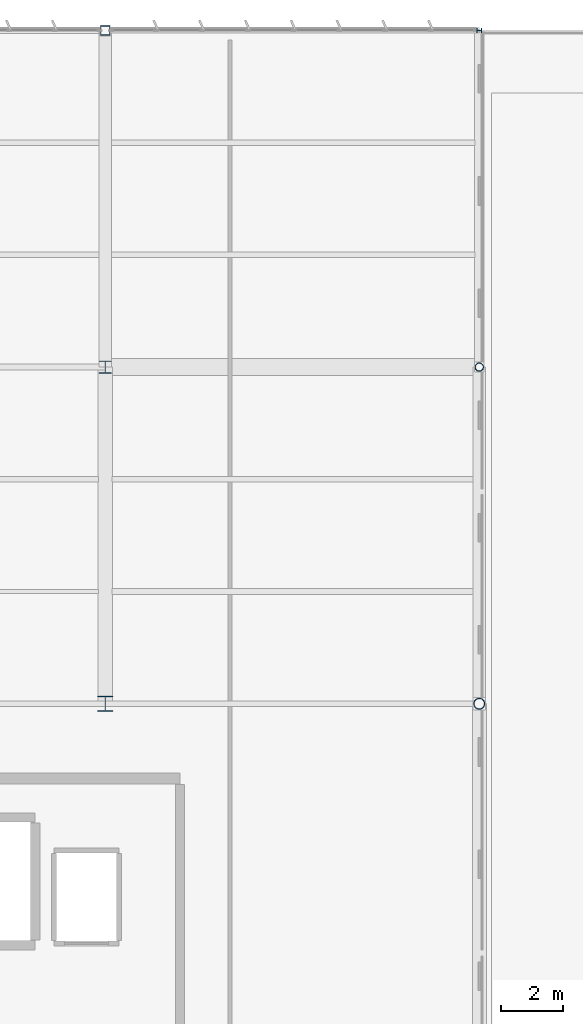
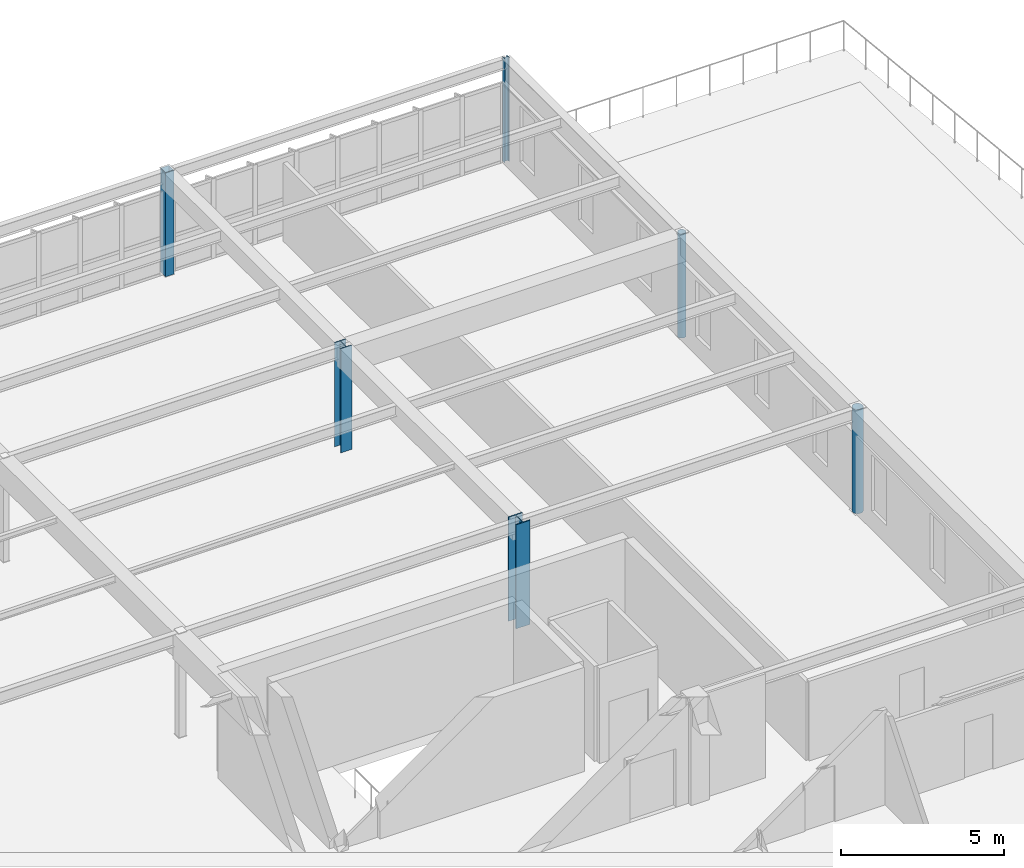
# One storey, part 25 of 128: 6 columns.
"""IFC4 building model written with IfcOpenShell, lengths in metres."""

from ifc_helpers import new_model, si_unit, direction, frame, origin, origin_2d, place, context, subcontext, project, spatial, hollow_rectangle, hollow_circle, i_section, extrude, material, material_profile, profile_set, type_object, element, save


model = new_model("IFC4")

# Units and contexts
model_context = context("Model", 3, precision=1e-05, world=origin(), true_north=direction((0.0, 1.0)))
body_context = subcontext(model_context, "Body", "Model", "MODEL_VIEW")
ifc_project = project(units=[si_unit("LENGTHUNIT", "METRE"), si_unit("AREAUNIT", "SQUARE_METRE"), si_unit("VOLUMEUNIT", "CUBIC_METRE"), si_unit("PLANEANGLEUNIT", "RADIAN"), si_unit("MASSUNIT", "GRAM", prefix="KILO")], contexts=[model_context])

# Site, building, storey
site_placement = place(None, origin())
site = spatial("IfcSite", under=ifc_project, at=site_placement, CompositionType="ELEMENT")
building_placement = place(site_placement, origin())
building = spatial("IfcBuilding", under=site, at=building_placement, Name="Tarnwether General Hospital", CompositionType="ELEMENT")
storey_placement = place(building_placement, frame((0.0, 0.0, 14.39990234375)))
storey = spatial("IfcBuildingStorey", under=building, at=storey_placement, Name="L03", CompositionType="ELEMENT", Elevation=14.39990234375)

# Columns
ifc_material_1 = material(Name="Steel Grade 350 (350 MPa)", Category="steel")
ifc_material_profile_1 = material_profile(ifc_material_1, i_section(OverallWidth=0.5, OverallDepth=0.5, WebThickness=0.02197265625, FlangeThickness=0.035888671875, at=origin_2d()), Name="500WC380")
ifc_profile_set_1 = profile_set([ifc_material_profile_1], Name="Steel Grade 350 (350 MPa)")
column_type_1 = type_object("IfcColumnType", Name="COL-01", PredefinedType="COLUMN", material=ifc_profile_set_1)
column_1_placement = place(storey_placement, frame((168.0, 104.39990234375, 0.0), z_axis=(0.0, 0.0, 1.0), x_axis=(1.0, 0.0, 0.0)))
element("IfcColumn", 1, at=column_1_placement, inside=storey, type_object=column_type_1, Name="Column COLG-L03-16800_10440", PredefinedType="COLUMN", context=body_context, shape_type="SweptSolid", body=[
    extrude(i_section(OverallWidth=0.5, OverallDepth=0.5, WebThickness=0.02197265625, FlangeThickness=0.035888671875, at=origin_2d()), origin(), (0.0, 0.0, 1.0), 3.900146484375),
])
ifc_material_2 = material(Name="Steel Grade 350 (350 MPa)", Category="steel")
ifc_material_profile_2 = material_profile(ifc_material_2, i_section(OverallWidth=0.39990234375, OverallDepth=0.39990234375, WebThickness=0.02001953125, FlangeThickness=0.028076171875, at=origin_2d()), Name="400WC270")
ifc_profile_set_2 = profile_set([ifc_material_profile_2], Name="Steel Grade 350 (350 MPa)")
column_type_2 = type_object("IfcColumnType", Name="COL-02", PredefinedType="COLUMN", material=ifc_profile_set_2)
column_2_placement = place(storey_placement, frame((168.0, 115.199951171875, 0.0), z_axis=(0.0, 0.0, 1.0), x_axis=(1.0, 0.0, 0.0)))
element("IfcColumn", 2, at=column_2_placement, inside=storey, type_object=column_type_2, Name="Column COLG-L03-16800_11520", PredefinedType="COLUMN", context=body_context, shape_type="SweptSolid", body=[
    extrude(i_section(OverallWidth=0.39990234375, OverallDepth=0.39990234375, WebThickness=0.02001953125, FlangeThickness=0.028076171875, at=origin_2d()), origin(), (0.0, 0.0, 1.0), 3.900146484375),
])
ifc_material_3 = material(Name="Steel Grade C350L0 (350 MPa)", Category="steel")
ifc_material_profile_3 = material_profile(ifc_material_3, hollow_circle(Radius=0.177734375, WallThickness=0.0126953125, at=origin_2d()), Name="CHS355.6x12.7")
ifc_profile_set_3 = profile_set([ifc_material_profile_3], Name="Steel Grade C350L0 (350 MPa)")
column_type_3 = type_object("IfcColumnType", Name="COL-11", PredefinedType="COLUMN", material=ifc_profile_set_3)
column_3_placement = place(storey_placement, frame((180.0, 104.39990234375, 0.0), z_axis=(0.0, 0.0, 1.0), x_axis=(0.0, 1.0, 0.0)))
element("IfcColumn", 3, at=column_3_placement, inside=storey, type_object=column_type_3, Name="Column COLG-L03-18000_10440", PredefinedType="COLUMN", context=body_context, shape_type="SweptSolid", body=[
    extrude(hollow_circle(Radius=0.177734375, WallThickness=0.0126953125, at=origin_2d()), origin(), (0.0, 0.0, 1.0), 3.900146484375),
])
ifc_material_4 = material(Name="Steel Grade C350L0 (350 MPa)", Category="steel")
ifc_material_profile_4 = material_profile(ifc_material_4, hollow_circle(Radius=0.136474609375, WallThickness=0.0126953125, at=origin_2d()), Name="CHS273.1x12.7")
ifc_profile_set_4 = profile_set([ifc_material_profile_4], Name="Steel Grade C350L0 (350 MPa)")
column_type_4 = type_object("IfcColumnType", Name="COL-12", PredefinedType="COLUMN", material=ifc_profile_set_4)
column_4_placement = place(storey_placement, frame((180.0, 115.199951171875, 0.0), z_axis=(0.0, 0.0, 1.0), x_axis=(0.0, 1.0, 0.0)))
element("IfcColumn", 4, at=column_4_placement, inside=storey, type_object=column_type_4, Name="Column COLG-L03-18000_11520", PredefinedType="COLUMN", context=body_context, shape_type="SweptSolid", body=[
    extrude(hollow_circle(Radius=0.136474609375, WallThickness=0.0126953125, at=origin_2d()), origin(), (0.0, 0.0, 1.0), 3.900146484375),
])
ifc_material_5 = material(Name="Steel Grade 350 (350 MPa)", Category="steel")
ifc_material_profile_5 = material_profile(ifc_material_5, i_section(OverallWidth=0.154052734375, OverallDepth=0.162109375, WebThickness=0.008056640625, FlangeThickness=0.011474609375, at=origin_2d()), Name="150UC37.2")
ifc_profile_set_5 = profile_set([ifc_material_profile_5], Name="Steel Grade 350 (350 MPa)")
column_type_5 = type_object("IfcColumnType", Name="COL-28", PredefinedType="COLUMN", material=ifc_profile_set_5)
column_5_placement = place(storey_placement, frame((180.0, 126.0, 0.0), z_axis=(0.0, 0.0, 1.0), x_axis=(0.0, 1.0, 0.0)))
element("IfcColumn", 5, at=column_5_placement, inside=storey, type_object=column_type_5, Name="Column COLG-L03-18000_12600", PredefinedType="COLUMN", context=body_context, shape_type="SweptSolid", body=[
    extrude(i_section(OverallWidth=0.154052734375, OverallDepth=0.162109375, WebThickness=0.008056640625, FlangeThickness=0.011474609375, at=origin_2d()), origin(), (0.0, 0.0, 1.0), 3.900146484375),
])
ifc_material_6 = material(Name="Steel Grade C350L0 (350 MPa)", Category="steel")
ifc_material_profile_6 = material_profile(ifc_material_6, hollow_rectangle(XDim=0.300048828125, YDim=0.300048828125, WallThickness=0.012451171875, at=origin_2d()), Name="SHS300x300x12.5")
ifc_profile_set_6 = profile_set([ifc_material_profile_6], Name="Steel Grade C350L0 (350 MPa)")
column_type_6 = type_object("IfcColumnType", Name="COL-30", PredefinedType="COLUMN", material=ifc_profile_set_6)
column_6_placement = place(storey_placement, frame((168.0, 126.0, 0.0), z_axis=(0.0, 0.0, 1.0), x_axis=(1.0, 0.0, 0.0)))
element("IfcColumn", 6, at=column_6_placement, inside=storey, type_object=column_type_6, Name="Column COLG-L03-16800_12600", PredefinedType="COLUMN", context=body_context, shape_type="SweptSolid", body=[
    extrude(hollow_rectangle(XDim=0.300048828125, YDim=0.300048828125, WallThickness=0.012451171875, at=origin_2d()), origin(), (0.0, 0.0, 1.0), 3.900146484375),
])

save(model, "model.ifc")
